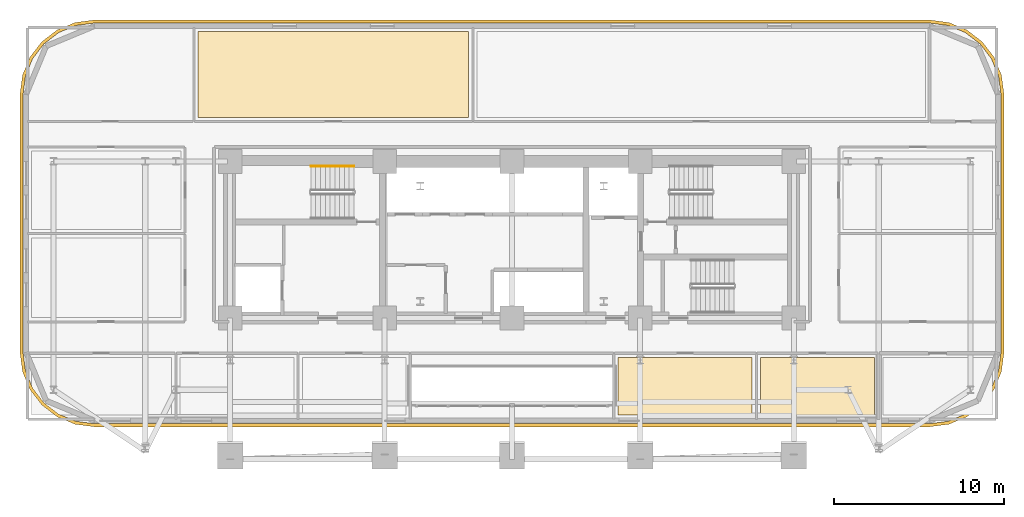
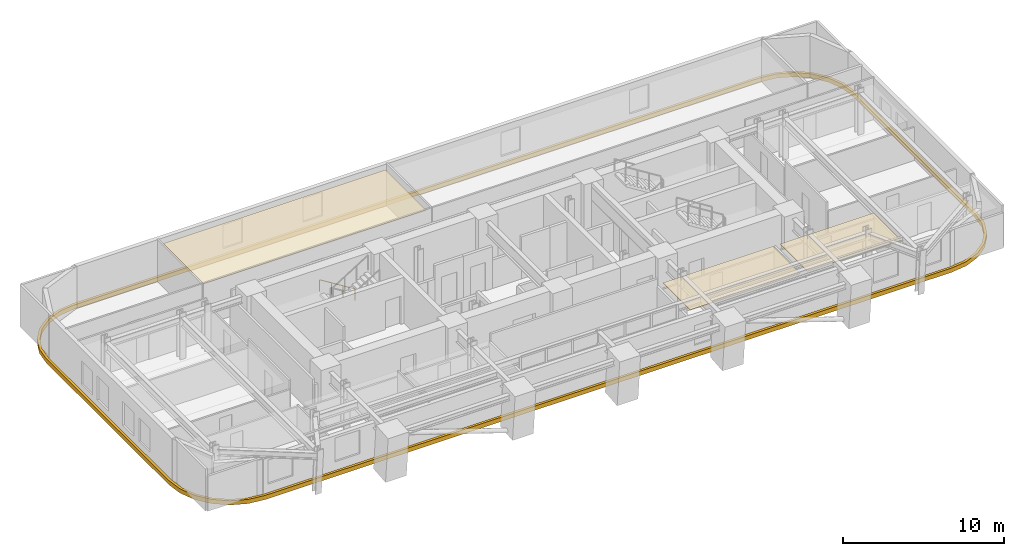
# One storey, part 13 of 15: 4 coverings, 1 railing.
"""IFC4 building model written with IfcOpenShell, lengths in metres."""

from ifc_helpers import new_model, si_unit, direction, frame, origin, origin_2d, place, context, subcontext, project, spatial, polyline, rectangle, outline, extrude, material, layer, layer_set, type_object, element, save


model = new_model("IFC4")

# Units and contexts
model_context = context("Model", 3, precision=1e-05, world=origin(), true_north=direction((0.0, 1.0)))
body_context = subcontext(model_context, "Body", "Model", "MODEL_VIEW")
ifc_project = project(units=[si_unit("LENGTHUNIT", "METRE"), si_unit("AREAUNIT", "SQUARE_METRE"), si_unit("VOLUMEUNIT", "CUBIC_METRE"), si_unit("PLANEANGLEUNIT", "RADIAN"), si_unit("MASSUNIT", "GRAM", prefix="KILO")], contexts=[model_context])

# Site, building, storey
site_placement = place(None, origin())
site = spatial("IfcSite", under=ifc_project, at=site_placement, CompositionType="ELEMENT")
building_placement = place(site_placement, origin())
building = spatial("IfcBuilding", under=site, at=building_placement, Name="Zarnavel Station Tower", CompositionType="ELEMENT")
storey_placement = place(building_placement, frame((0.0, 0.0, 71.0)))
storey = spatial("IfcBuildingStorey", under=building, at=storey_placement, Name="L19", CompositionType="ELEMENT", Elevation=71.0)

# Coverings
ifc_material_1 = material(Name="Perforated Gypsum and Mineral-Wool Acoustic Ceiling", Category="concrete")
ifc_layer = layer(ifc_material_1, 0.0400390625)
ifc_layer_set = layer_set([ifc_layer], Name="COV_CEIL_ACOUSTIC")
covering_type_1 = type_object("IfcCoveringType", Name="COV_CEIL_ACOUSTIC", PredefinedType="CEILING", material=ifc_layer_set)
covering_1_placement = place(storey_placement, frame((0.0, 0.0, 2.860107421875)))
element("IfcCovering", 1, at=covering_1_placement, inside=storey, type_object=covering_type_1, Name="L19 NL6A Acoustic Ceiling", PredefinedType="CEILING", context=body_context, shape_type="SweptSolid", body=[
    extrude(outline(polyline([(10.31005859375, 39.64990234375), (26.25, 39.64990234375), (26.25, 44.68994140625), (10.31005859375, 44.68994140625), (10.31005859375, 39.64990234375)])), origin(), (0.0, 0.0, 1.0), 0.039794921875),
])
covering_2_placement = place(storey_placement, frame((0.0, 0.0, 2.860107421875)))
element("IfcCovering", 2, at=covering_2_placement, inside=storey, type_object=covering_type_1, Name="L19 Z1DIN Acoustic Ceiling", PredefinedType="CEILING", context=body_context, shape_type="SweptSolid", body=[
    extrude(outline(polyline([(35.050048828125, 22.110107421875), (42.949951171875, 22.110107421875), (42.949951171875, 25.5), (35.050048828125, 25.5), (35.050048828125, 22.110107421875)])), origin(), (0.0, 0.0, 1.0), 0.039794921875),
])
covering_3_placement = place(storey_placement, frame((0.0, 0.0, 2.860107421875)))
element("IfcCovering", 3, at=covering_3_placement, inside=storey, type_object=covering_type_1, Name="L19 Z1BAR Acoustic Ceiling", PredefinedType="CEILING", context=body_context, shape_type="SweptSolid", body=[
    extrude(outline(polyline([(43.449951171875, 22.110107421875), (50.14990234375, 22.110107421875), (50.14990234375, 25.5), (43.449951171875, 25.5), (43.449951171875, 22.110107421875)])), origin(), (0.0, 0.0, 1.0), 0.039794921875),
])
ifc_material_2 = material(Name="Precast concrete C45/55 (Pale Travertine Slab Band)", Category="masonry")
covering_type_2 = type_object("IfcCoveringType", Name="COV_TRAVERTINE_BAND", PredefinedType="CLADDING", material=ifc_material_2)
covering_4_placement = place(storey_placement, frame((0.0, 0.0, -0.260009765625)))
element("IfcCovering", 4, at=covering_4_placement, inside=storey, type_object=covering_type_2, Name="L19 Pale Travertine Slab-Edge Band", PredefinedType="CLADDING", context=body_context, shape_type="SweptSolid", body=[
    extrude(outline(polyline([(53.39990234375, 21.419921875), (54.53369140625, 21.569091796875), (55.590087890625, 22.0068359375), (56.4970703125, 22.702880859375), (57.193115234375, 23.610107421875), (57.630859375, 24.66650390625), (57.780029296875, 25.800048828125), (57.780029296875, 41.0), (57.630859375, 42.133544921875), (57.193115234375, 43.18994140625), (56.4970703125, 44.09716796875), (55.590087890625, 44.793212890625), (54.53369140625, 45.230712890625), (53.39990234375, 45.3798828125), (4.199951171875, 45.3798828125), (3.06640625, 45.230712890625), (2.010009765625, 44.793212890625), (1.102783203125, 44.09716796875), (0.40673828125, 43.18994140625), (-0.03076171875, 42.133544921875), (-0.179931640625, 41.0), (-0.179931640625, 25.800048828125), (-0.03076171875, 24.66650390625), (0.40673828125, 23.610107421875), (1.102783203125, 22.702880859375), (2.010009765625, 22.0068359375), (3.06640625, 21.569091796875), (4.199951171875, 21.419921875), (53.39990234375, 21.419921875)]), holes=[polyline([(53.39990234375, 21.60009765625), (54.487060546875, 21.7431640625), (55.5, 22.16259765625), (56.369873046875, 22.830078125), (57.037353515625, 23.699951171875), (57.456787109375, 24.712890625), (57.60009765625, 25.800048828125), (57.60009765625, 41.0), (57.456787109375, 42.0869140625), (57.037353515625, 43.10009765625), (56.369873046875, 43.9697265625), (55.5, 44.63720703125), (54.487060546875, 45.056884765625), (53.39990234375, 45.199951171875), (4.199951171875, 45.199951171875), (3.113037109375, 45.056884765625), (2.10009765625, 44.63720703125), (1.230224609375, 43.9697265625), (0.562744140625, 43.10009765625), (0.14306640625, 42.0869140625), (0.0, 41.0), (0.0, 25.800048828125), (0.14306640625, 24.712890625), (0.562744140625, 23.699951171875), (1.230224609375, 22.830078125), (2.10009765625, 22.16259765625), (3.113037109375, 21.7431640625), (4.199951171875, 21.60009765625), (53.39990234375, 21.60009765625)])]), origin(), (0.0, 0.0, 1.0), 0.320068359375),
])

# Railing
ifc_material_3 = material(Name="Brushed Stainless Steel S355J2 Handrail", Category="steel")
railing_type = type_object("IfcRailingType", Name="HR_STAIR_900", PredefinedType="HANDRAIL", material=ifc_material_3)
railing_placement = place(storey_placement, frame((19.47998046875, 36.77001953125, 0.175048828125)))
element("IfcRailing", 5, at=railing_placement, inside=storey, type_object=railing_type, Name="L19 ST1 stair handrail 1", PredefinedType="HANDRAIL", context=body_context, shape_type="SweptSolid", body=[
    extrude(rectangle(XDim=0.048095703125, YDim=0.048095703125, at=origin_2d()), frame((-0.001708984375, 0.0, 0.876953125), z_axis=(-0.848007534815, 0.0, 0.529984170421), x_axis=(0.0, -1.0, 0.0)), (0.0, 0.0, 1.0), 2.9677734375),
    extrude(rectangle(XDim=0.0419921875, YDim=0.0419921875, at=origin_2d()), origin(), (0.0, 0.0, 1.0), 0.851806640625),
    extrude(rectangle(XDim=0.0419921875, YDim=0.0419921875, at=origin_2d()), frame((-0.840087890625, 0.0, 0.52490234375)), (0.0, 0.0, 1.0), 0.851806640625),
    extrude(rectangle(XDim=0.0419921875, YDim=0.0419921875, at=origin_2d()), frame((-1.679931640625, 0.0, 1.050048828125)), (0.0, 0.0, 1.0), 0.851806640625),
    extrude(rectangle(XDim=0.0419921875, YDim=0.0419921875, at=origin_2d()), frame((-2.52001953125, 0.0, 1.574951171875)), (0.0, 0.0, 1.0), 0.851806640625),
])

save(model, "model.ifc")
